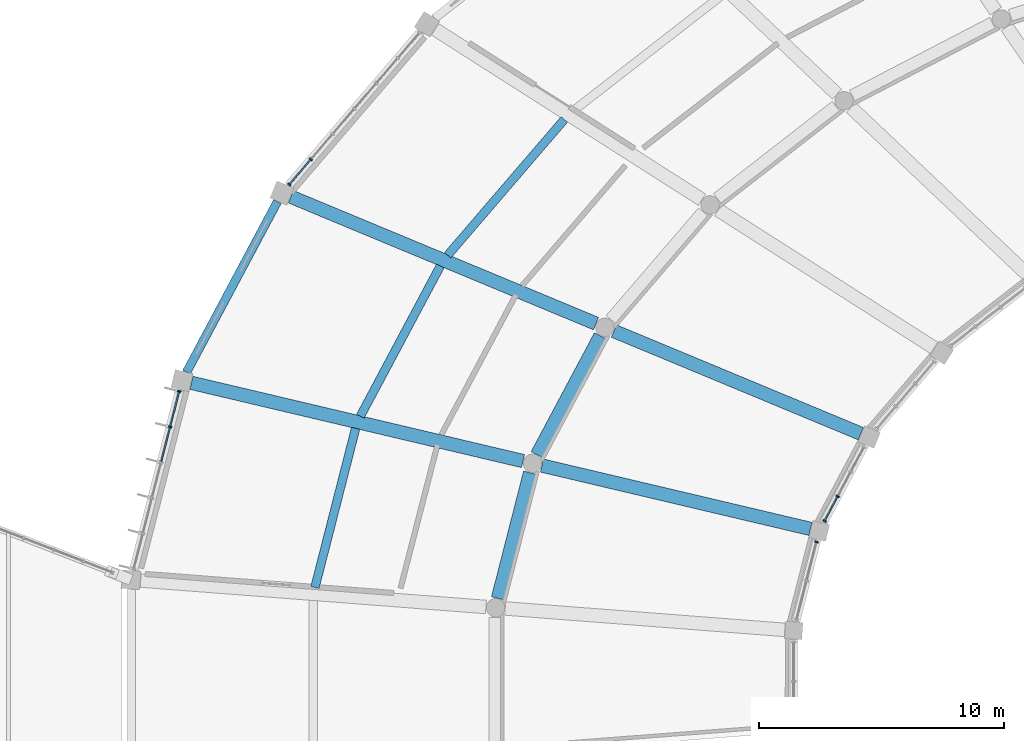
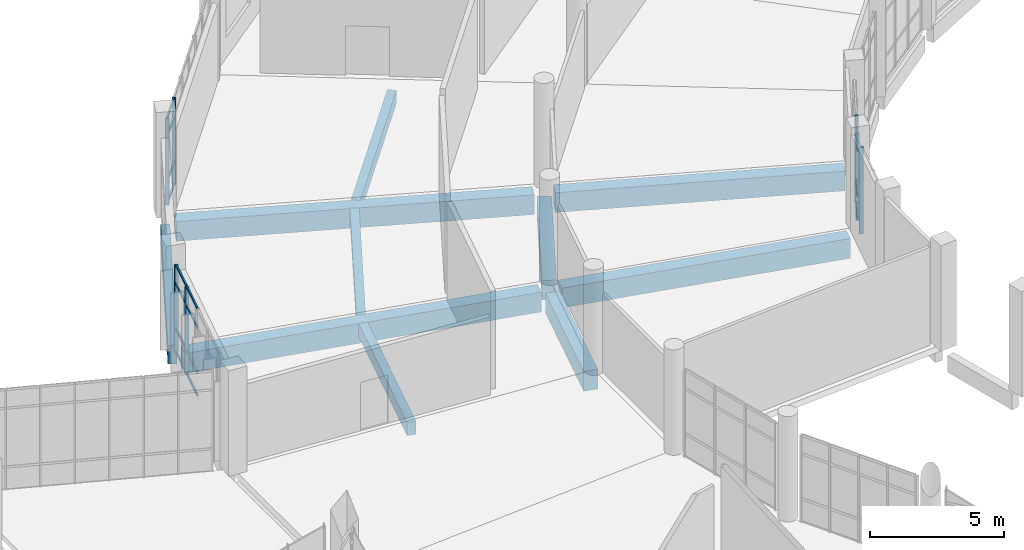
# One storey, part 18 of 179: 23 members, 10 beams, 4 elements without a shape of their own.
"""IFC4 building model written with IfcOpenShell, lengths in metres."""

from ifc_helpers import new_model, si_unit, direction, frame, origin, origin_2d, place, context, subcontext, project, spatial, rectangle, extrude, material, layer, layer_set, material_profile, profile_set, type_object, element, aggregate, save


model = new_model("IFC4")

# Units and contexts
model_context = context("Model", 3, precision=1e-05, world=origin(), true_north=direction((0.0, 1.0)))
body_context = subcontext(model_context, "Body", "Model", "MODEL_VIEW")
ifc_project = project(units=[si_unit("LENGTHUNIT", "METRE"), si_unit("AREAUNIT", "SQUARE_METRE"), si_unit("VOLUMEUNIT", "CUBIC_METRE"), si_unit("PLANEANGLEUNIT", "RADIAN"), si_unit("MASSUNIT", "GRAM", prefix="KILO")], contexts=[model_context])

# Site, building, storey
site_placement = place(None, origin())
site = spatial("IfcSite", under=ifc_project, at=site_placement, CompositionType="ELEMENT")
building_placement = place(site_placement, origin())
building = spatial("IfcBuilding", under=site, at=building_placement, Name="Corvandel Quay Wholesale Market", CompositionType="ELEMENT")
storey_placement = place(building_placement, frame((0.0, 0.0, 6.0)))
storey = spatial("IfcBuildingStorey", under=building, at=storey_placement, Name="L01", CompositionType="ELEMENT", Elevation=6.0)

# Curtain wall, members
ifc_material_1 = material(Name="Bronze anodised aluminium and low-E insulated glazing", Category="aluminium")
ifc_layer_1 = layer(ifc_material_1, 0.174072265625)
ifc_layer_set_1 = layer_set([ifc_layer_1], Name="Bronze anodised aluminium and low-E insulated glazing")
curtain_wall_type_1 = type_object("IfcCurtainWallType", Name="Stick Curtain Wall System CW17 H4530", PredefinedType="NOTDEFINED", material=ifc_layer_set_1)
curtain_wall_1_placement = place(storey_placement, origin())
curtain_wall_1 = element("IfcCurtainWall", 1, at=curtain_wall_1_placement, inside=storey, type_object=curtain_wall_type_1, Name="Curtain Wall CW-0036", PredefinedType="NOTDEFINED")
ifc_material_2 = material(Name="Anodised aluminium 6063-T6", Category="aluminium")
ifc_material_profile_1 = material_profile(ifc_material_2, rectangle(XDim=0.06494140625, YDim=0.14990234375, at=origin_2d()), Name="ALU-MUL-65x150")
ifc_profile_set_1 = profile_set([ifc_material_profile_1], Name="Anodised aluminium 6063-T6")
member_type_1 = type_object("IfcMemberType", Name="Curtain Wall Mullion ML02 65x150", PredefinedType="MULLION", material=ifc_profile_set_1)
member_1_placement = place(storey_placement, frame((67.326416015625, 63.26806640625, 0.0), z_axis=(0.0, 0.0, 1.0), x_axis=(0.651568967347, 0.758589401976, 0.0)))
member_1 = element("IfcMember", 2, at=member_1_placement, type_object=member_type_1, Name="Mullion CW-0036-M05", PredefinedType="MULLION", context=body_context, shape_type="SweptSolid", body=[
    extrude(rectangle(XDim=0.06494140625, YDim=0.14990234375, at=origin_2d()), origin(), (0.0, 0.0, 1.0), 3.949951171875),
])
member_2_placement = place(storey_placement, frame((66.439208984375, 62.2353515625, 0.0), z_axis=(0.0, 0.0, 1.0), x_axis=(0.651568967347, 0.758589401976, 0.0)))
member_2 = element("IfcMember", 3, at=member_2_placement, type_object=member_type_1, Name="Mullion CW-0036-M06", PredefinedType="MULLION", context=body_context, shape_type="SweptSolid", body=[
    extrude(rectangle(XDim=0.06494140625, YDim=0.14990234375, at=origin_2d()), origin(), (0.0, 0.0, 1.0), 3.949951171875),
])

ifc_layer_2 = layer(ifc_material_1, 0.18603515625)
ifc_layer_set_2 = layer_set([ifc_layer_2], Name="Bronze anodised aluminium and low-E insulated glazing")
curtain_wall_type_2 = type_object("IfcCurtainWallType", Name="Stick Curtain Wall System CW28 H5520", PredefinedType="NOTDEFINED", material=ifc_layer_set_2)
curtain_wall_2_placement = place(storey_placement, origin())
curtain_wall_2 = element("IfcCurtainWall", 4, at=curtain_wall_2_placement, inside=storey, type_object=curtain_wall_type_2, Name="Curtain Wall CW-0041", PredefinedType="NOTDEFINED")
member_3_placement = place(storey_placement, frame((88.788330078125, 49.534423828125, 0.0), z_axis=(0.0, 0.0, 1.0), x_axis=(0.469933808689, 0.882701657102, 0.0)))
member_3 = element("IfcMember", 5, at=member_3_placement, type_object=member_type_1, Name="Mullion CW-0041-M02", PredefinedType="MULLION", context=body_context, shape_type="SweptSolid", body=[
    extrude(rectangle(XDim=0.06494140625, YDim=0.14990234375, at=origin_2d()), origin(), (0.0, 0.0, 1.0), 3.949951171875),
])
member_4_placement = place(storey_placement, frame((88.254150390625, 48.531005859375, 0.0), z_axis=(0.0, 0.0, 1.0), x_axis=(0.469933808689, 0.882701657102, 0.0)))
member_4 = element("IfcMember", 6, at=member_4_placement, type_object=member_type_1, Name="Mullion CW-0041-M03", PredefinedType="MULLION", context=body_context, shape_type="SweptSolid", body=[
    extrude(rectangle(XDim=0.06494140625, YDim=0.14990234375, at=origin_2d()), origin(), (0.0, 0.0, 1.0), 3.949951171875),
])

ifc_layer_3 = layer(ifc_material_1, 0.197998046875)
ifc_layer_set_3 = layer_set([ifc_layer_3], Name="Bronze anodised aluminium and low-E insulated glazing")
curtain_wall_type_3 = type_object("IfcCurtainWallType", Name="Stick Curtain Wall System CW19 H4710", PredefinedType="NOTDEFINED", material=ifc_layer_set_3)
curtain_wall_3_placement = place(storey_placement, origin())
curtain_wall_3 = element("IfcCurtainWall", 7, at=curtain_wall_3_placement, inside=storey, type_object=curtain_wall_type_3, Name="Curtain Wall CW-0043", PredefinedType="NOTDEFINED")
member_5_placement = place(storey_placement, frame((61.96337890625, 53.81494140625, 0.0), z_axis=(0.0, 0.0, 1.0), x_axis=(0.247675453076, 0.968843057437, 0.0)))
member_5 = element("IfcMember", 8, at=member_5_placement, type_object=member_type_1, Name="Mullion CW-0043-M00", PredefinedType="MULLION", context=body_context, shape_type="SweptSolid", body=[
    extrude(rectangle(XDim=0.06494140625, YDim=0.14990234375, at=origin_2d()), origin(), (0.0, 0.0, 1.0), 3.949951171875),
])
member_6_placement = place(storey_placement, frame((61.593017578125, 52.36669921875, 0.0), z_axis=(0.0, 0.0, 1.0), x_axis=(0.247675453076, 0.968843057437, 0.0)))
member_6 = element("IfcMember", 9, at=member_6_placement, type_object=member_type_1, Name="Mullion CW-0043-M01", PredefinedType="MULLION", context=body_context, shape_type="SweptSolid", body=[
    extrude(rectangle(XDim=0.06494140625, YDim=0.14990234375, at=origin_2d()), origin(), (0.0, 0.0, 1.0), 3.949951171875),
])

# Curtain wall, member
ifc_layer_4 = layer(ifc_material_1, 0.162109375)
ifc_layer_set_4 = layer_set([ifc_layer_4], Name="Bronze anodised aluminium and low-E insulated glazing")
curtain_wall_type_4 = type_object("IfcCurtainWallType", Name="Stick Curtain Wall System CW01 H3090", PredefinedType="NOTDEFINED", material=ifc_layer_set_4)
curtain_wall_4_placement = place(storey_placement, origin())
curtain_wall_4 = element("IfcCurtainWall", 10, at=curtain_wall_4_placement, inside=storey, type_object=curtain_wall_type_4, Name="Curtain Wall CW-0044", PredefinedType="NOTDEFINED")
member_7_placement = place(storey_placement, frame((87.924072265625, 47.67919921875, 0.0), z_axis=(0.0, 0.0, 1.0), x_axis=(0.247844544316, 0.968799815159, 0.0)))
member_7 = element("IfcMember", 11, at=member_7_placement, type_object=member_type_1, Name="Mullion CW-0044-M00", PredefinedType="MULLION", context=body_context, shape_type="SweptSolid", body=[
    extrude(rectangle(XDim=0.06494140625, YDim=0.14990234375, at=origin_2d()), origin(), (0.0, 0.0, 1.0), 3.949951171875),
])
aggregate(curtain_wall_4, [member_7])

# Member
ifc_material_profile_2 = material_profile(ifc_material_2, rectangle(XDim=0.06005859375, YDim=0.110107421875, at=origin_2d()), Name="ALU-TRN-60x110")
ifc_profile_set_2 = profile_set([ifc_material_profile_2], Name="Anodised aluminium 6063-T6")
member_type_2 = type_object("IfcMemberType", Name="Curtain Wall Transom TR02 60x110", PredefinedType="USERDEFINED", material=ifc_profile_set_2)
member_8_placement = place(storey_placement, frame((67.30517578125, 63.243408203125, 0.0), z_axis=(-0.651597471756, -0.758564917987, 0.0), x_axis=(0.758564917987, -0.651597471756, 0.0)))
member_8 = element("IfcMember", 12, at=member_8_placement, type_object=member_type_2, Name="Transom CW-0036-T05-0", ObjectType="TRANSOM", PredefinedType="USERDEFINED", context=body_context, shape_type="SweptSolid", body=[
    extrude(rectangle(XDim=0.06005859375, YDim=0.110107421875, at=origin_2d()), origin(), (0.0, 0.0, 1.0), 1.29638671875),
])

member_9_placement = place(storey_placement, frame((67.30517578125, 63.243408203125, 1.050048828125), z_axis=(-0.651597471756, -0.758564917987, 0.0), x_axis=(0.758564917987, -0.651597471756, 0.0)))
member_9 = element("IfcMember", 13, at=member_9_placement, type_object=member_type_2, Name="Transom CW-0036-T05-1", ObjectType="TRANSOM", PredefinedType="USERDEFINED", context=body_context, shape_type="SweptSolid", body=[
    extrude(rectangle(XDim=0.06005859375, YDim=0.110107421875, at=origin_2d()), origin(), (0.0, 0.0, 1.0), 1.29638671875),
])

member_10_placement = place(storey_placement, frame((67.30517578125, 63.243408203125, 3.10009765625), z_axis=(-0.651597471756, -0.758564917987, 0.0), x_axis=(0.758564917987, -0.651597471756, 0.0)))
member_10 = element("IfcMember", 14, at=member_10_placement, type_object=member_type_2, Name="Transom CW-0036-T05-2", ObjectType="TRANSOM", PredefinedType="USERDEFINED", context=body_context, shape_type="SweptSolid", body=[
    extrude(rectangle(XDim=0.06005859375, YDim=0.110107421875, at=origin_2d()), origin(), (0.0, 0.0, 1.0), 1.29638671875),
])

member_11_placement = place(storey_placement, frame((67.30517578125, 63.243408203125, 3.949951171875), z_axis=(-0.651597471756, -0.758564917987, 0.0), x_axis=(0.758564917987, -0.651597471756, 0.0)))
member_11 = element("IfcMember", 15, at=member_11_placement, type_object=member_type_2, Name="Transom CW-0036-T05-3", ObjectType="TRANSOM", PredefinedType="USERDEFINED", context=body_context, shape_type="SweptSolid", body=[
    extrude(rectangle(XDim=0.06005859375, YDim=0.110107421875, at=origin_2d()), origin(), (0.0, 0.0, 1.0), 1.29638671875),
])

aggregate(curtain_wall_1, [member_1, member_2, member_8, member_9, member_10, member_11])

member_12_placement = place(storey_placement, frame((88.773193359375, 49.505615234375, 0.0), z_axis=(-0.470032340341, -0.88264919364, 0.0), x_axis=(0.88264919364, -0.470032340341, 0.0)))
member_12 = element("IfcMember", 16, at=member_12_placement, type_object=member_type_2, Name="Transom CW-0041-T02-0", ObjectType="TRANSOM", PredefinedType="USERDEFINED", context=body_context, shape_type="SweptSolid", body=[
    extrude(rectangle(XDim=0.06005859375, YDim=0.110107421875, at=origin_2d()), origin(), (0.0, 0.0, 1.0), 1.071533203125),
])

member_13_placement = place(storey_placement, frame((88.773193359375, 49.505615234375, 1.050048828125), z_axis=(-0.470032340341, -0.88264919364, 0.0), x_axis=(0.88264919364, -0.470032340341, 0.0)))
member_13 = element("IfcMember", 17, at=member_13_placement, type_object=member_type_2, Name="Transom CW-0041-T02-1", ObjectType="TRANSOM", PredefinedType="USERDEFINED", context=body_context, shape_type="SweptSolid", body=[
    extrude(rectangle(XDim=0.06005859375, YDim=0.110107421875, at=origin_2d()), origin(), (0.0, 0.0, 1.0), 1.071533203125),
])

member_14_placement = place(storey_placement, frame((88.773193359375, 49.505615234375, 3.10009765625), z_axis=(-0.470032340341, -0.88264919364, 0.0), x_axis=(0.88264919364, -0.470032340341, 0.0)))
member_14 = element("IfcMember", 18, at=member_14_placement, type_object=member_type_2, Name="Transom CW-0041-T02-2", ObjectType="TRANSOM", PredefinedType="USERDEFINED", context=body_context, shape_type="SweptSolid", body=[
    extrude(rectangle(XDim=0.06005859375, YDim=0.110107421875, at=origin_2d()), origin(), (0.0, 0.0, 1.0), 1.071533203125),
])

member_15_placement = place(storey_placement, frame((88.773193359375, 49.505615234375, 3.949951171875), z_axis=(-0.470032340341, -0.88264919364, 0.0), x_axis=(0.88264919364, -0.470032340341, 0.0)))
member_15 = element("IfcMember", 19, at=member_15_placement, type_object=member_type_2, Name="Transom CW-0041-T02-3", ObjectType="TRANSOM", PredefinedType="USERDEFINED", context=body_context, shape_type="SweptSolid", body=[
    extrude(rectangle(XDim=0.06005859375, YDim=0.110107421875, at=origin_2d()), origin(), (0.0, 0.0, 1.0), 1.071533203125),
])

aggregate(curtain_wall_2, [member_3, member_4, member_12, member_13, member_14, member_15])

member_16_placement = place(storey_placement, frame((61.955322265625, 53.783447265625, 0.0), z_axis=(-0.247594705579, -0.968863696177, 0.0), x_axis=(0.968863696177, -0.247594705579, 0.0)))
member_16 = element("IfcMember", 20, at=member_16_placement, type_object=member_type_2, Name="Transom CW-0043-T00-0", ObjectType="TRANSOM", PredefinedType="USERDEFINED", context=body_context, shape_type="SweptSolid", body=[
    extrude(rectangle(XDim=0.06005859375, YDim=0.110107421875, at=origin_2d()), origin(), (0.0, 0.0, 1.0), 1.4296875),
])

member_17_placement = place(storey_placement, frame((61.955322265625, 53.783447265625, 1.050048828125), z_axis=(-0.247594705579, -0.968863696177, 0.0), x_axis=(0.968863696177, -0.247594705579, 0.0)))
member_17 = element("IfcMember", 21, at=member_17_placement, type_object=member_type_2, Name="Transom CW-0043-T00-1", ObjectType="TRANSOM", PredefinedType="USERDEFINED", context=body_context, shape_type="SweptSolid", body=[
    extrude(rectangle(XDim=0.06005859375, YDim=0.110107421875, at=origin_2d()), origin(), (0.0, 0.0, 1.0), 1.4296875),
])

member_18_placement = place(storey_placement, frame((61.955322265625, 53.783447265625, 3.10009765625), z_axis=(-0.247594705579, -0.968863696177, 0.0), x_axis=(0.968863696177, -0.247594705579, 0.0)))
member_18 = element("IfcMember", 22, at=member_18_placement, type_object=member_type_2, Name="Transom CW-0043-T00-2", ObjectType="TRANSOM", PredefinedType="USERDEFINED", context=body_context, shape_type="SweptSolid", body=[
    extrude(rectangle(XDim=0.06005859375, YDim=0.110107421875, at=origin_2d()), origin(), (0.0, 0.0, 1.0), 1.4296875),
])

member_19_placement = place(storey_placement, frame((61.955322265625, 53.783447265625, 3.949951171875), z_axis=(-0.247594705579, -0.968863696177, 0.0), x_axis=(0.968863696177, -0.247594705579, 0.0)))
member_19 = element("IfcMember", 23, at=member_19_placement, type_object=member_type_2, Name="Transom CW-0043-T00-3", ObjectType="TRANSOM", PredefinedType="USERDEFINED", context=body_context, shape_type="SweptSolid", body=[
    extrude(rectangle(XDim=0.06005859375, YDim=0.110107421875, at=origin_2d()), origin(), (0.0, 0.0, 1.0), 1.4296875),
])

member_20_placement = place(storey_placement, frame((61.5849609375, 52.335205078125, 0.0), z_axis=(-0.24771400443, -0.968833201335, 0.0), x_axis=(0.968833201335, -0.24771400443, 0.0)))
member_20 = element("IfcMember", 24, at=member_20_placement, type_object=member_type_2, Name="Transom CW-0043-T01-0", ObjectType="TRANSOM", PredefinedType="USERDEFINED", context=body_context, shape_type="SweptSolid", body=[
    extrude(rectangle(XDim=0.06005859375, YDim=0.110107421875, at=origin_2d()), origin(), (0.0, 0.0, 1.0), 1.43017578125),
])

member_21_placement = place(storey_placement, frame((61.5849609375, 52.335205078125, 1.050048828125), z_axis=(-0.24771400443, -0.968833201335, 0.0), x_axis=(0.968833201335, -0.24771400443, 0.0)))
member_21 = element("IfcMember", 25, at=member_21_placement, type_object=member_type_2, Name="Transom CW-0043-T01-1", ObjectType="TRANSOM", PredefinedType="USERDEFINED", context=body_context, shape_type="SweptSolid", body=[
    extrude(rectangle(XDim=0.06005859375, YDim=0.110107421875, at=origin_2d()), origin(), (0.0, 0.0, 1.0), 1.43017578125),
])

member_22_placement = place(storey_placement, frame((61.5849609375, 52.335205078125, 3.10009765625), z_axis=(-0.24771400443, -0.968833201335, 0.0), x_axis=(0.968833201335, -0.24771400443, 0.0)))
member_22 = element("IfcMember", 26, at=member_22_placement, type_object=member_type_2, Name="Transom CW-0043-T01-2", ObjectType="TRANSOM", PredefinedType="USERDEFINED", context=body_context, shape_type="SweptSolid", body=[
    extrude(rectangle(XDim=0.06005859375, YDim=0.110107421875, at=origin_2d()), origin(), (0.0, 0.0, 1.0), 1.43017578125),
])

member_23_placement = place(storey_placement, frame((61.5849609375, 52.335205078125, 3.949951171875), z_axis=(-0.24771400443, -0.968833201335, 0.0), x_axis=(0.968833201335, -0.24771400443, 0.0)))
member_23 = element("IfcMember", 27, at=member_23_placement, type_object=member_type_2, Name="Transom CW-0043-T01-3", ObjectType="TRANSOM", PredefinedType="USERDEFINED", context=body_context, shape_type="SweptSolid", body=[
    extrude(rectangle(XDim=0.06005859375, YDim=0.110107421875, at=origin_2d()), origin(), (0.0, 0.0, 1.0), 1.43017578125),
])

aggregate(curtain_wall_3, [member_5, member_6, member_16, member_17, member_18, member_19, member_20, member_21, member_22, member_23])

# Beams
ifc_material_3 = material(Name="Precast concrete C45/55", Category="concrete")
ifc_material_profile_3 = material_profile(ifc_material_3, rectangle(XDim=0.35009765625, YDim=0.85009765625, at=origin_2d()), Name="PC-SPN-350x850")
ifc_profile_set_3 = profile_set([ifc_material_profile_3], Name="Precast concrete C45/55")
beam_type_1 = type_object("IfcBeamType", Name="Perimeter Precast Spandrel SP01 350x850", PredefinedType="SPANDREL", material=ifc_profile_set_3)
beam_1_placement = place(storey_placement, frame((65.960205078125, 61.54541015625, -0.72509765625), z_axis=(-0.470097048579, -0.882614731872, 0.0), x_axis=(0.882614731872, -0.470097048579, 0.0)))
element("IfcBeam", 28, at=beam_1_placement, inside=storey, type_object=beam_type_1, Name="Beam BM-0166", PredefinedType="SPANDREL", context=body_context, shape_type="SweptSolid", body=[
    extrude(rectangle(XDim=0.35009765625, YDim=0.85009765625, at=origin_2d()), origin(), (0.0, 0.0, 1.0), 7.86962890625),
])
ifc_material_profile_4 = material_profile(ifc_material_3, rectangle(XDim=0.550048828125, YDim=0.89990234375, at=origin_2d()), Name="PC-GIR-550x900")
ifc_profile_set_4 = profile_set([ifc_material_profile_4], Name="Precast concrete C45/55")
beam_type_2 = type_object("IfcBeamType", Name="Produce Hall Radial Girder G03 550x900", PredefinedType="USERDEFINED", material=ifc_profile_set_4)
beam_2_placement = place(storey_placement, frame((79.120361328125, 56.074462890625, -0.75), z_axis=(-0.470057068479, -0.882636024856, 0.0), x_axis=(0.882636024856, -0.470057068479, 0.0)))
element("IfcBeam", 29, at=beam_2_placement, inside=storey, type_object=beam_type_2, Name="Beam BM-0167", ObjectType="GIRDER", PredefinedType="USERDEFINED", context=body_context, shape_type="SweptSolid", body=[
    extrude(rectangle(XDim=0.550048828125, YDim=0.89990234375, at=origin_2d()), origin(), (0.0, 0.0, 1.0), 5.48779296875),
])
beam_3_placement = place(storey_placement, frame((66.5107421875, 61.742431640625, -0.75), z_axis=(0.923385679265, -0.383873530383, 0.0), x_axis=(0.383873530383, 0.923385679265, 0.0)))
element("IfcBeam", 30, at=beam_3_placement, inside=storey, type_object=beam_type_2, Name="Beam BM-0168", ObjectType="GIRDER", PredefinedType="USERDEFINED", context=body_context, shape_type="SweptSolid", body=[
    extrude(rectangle(XDim=0.550048828125, YDim=0.89990234375, at=origin_2d()), origin(), (0.0, 0.0, 1.0), 13.462158203125),
])
beam_4_placement = place(storey_placement, frame((79.670654296875, 56.271484375, -0.72998046875), z_axis=(0.923386886685, -0.38387062599, 0.0), x_axis=(0.38387062599, 0.923386886685, 0.0)))
element("IfcBeam", 31, at=beam_4_placement, inside=storey, type_object=beam_type_2, Name="Beam BM-0171", ObjectType="GIRDER", PredefinedType="USERDEFINED", context=body_context, shape_type="SweptSolid", body=[
    extrude(rectangle(XDim=0.550048828125, YDim=0.89990234375, at=origin_2d()), origin(), (0.0, 0.0, 1.0), 10.895263671875),
])
beam_5_placement = place(storey_placement, frame((76.257080078125, 50.499267578125, -0.75), z_axis=(-0.247817109088, -0.9688068334, 0.0), x_axis=(0.9688068334, -0.247817109088, 0.0)))
element("IfcBeam", 32, at=beam_5_placement, inside=storey, type_object=beam_type_2, Name="Beam BM-0180", ObjectType="GIRDER", PredefinedType="USERDEFINED", context=body_context, shape_type="SweptSolid", body=[
    extrude(rectangle(XDim=0.550048828125, YDim=0.89990234375, at=origin_2d()), origin(), (0.0, 0.0, 1.0), 5.282470703125),
])
beam_6_placement = place(storey_placement, frame((62.45947265625, 54.160400390625, -0.75), z_axis=(0.97327837295, -0.229628414506, 0.0), x_axis=(0.229628414506, 0.97327837295, 0.0)))
element("IfcBeam", 33, at=beam_6_placement, inside=storey, type_object=beam_type_2, Name="Beam BM-0181", ObjectType="GIRDER", PredefinedType="USERDEFINED", context=body_context, shape_type="SweptSolid", body=[
    extrude(rectangle(XDim=0.550048828125, YDim=0.89990234375, at=origin_2d()), origin(), (0.0, 0.0, 1.0), 13.882080078125),
])
beam_7_placement = place(storey_placement, frame((76.739501953125, 50.791259765625, -0.72998046875), z_axis=(0.97326739411, -0.229674943262, 0.0), x_axis=(0.229674943262, 0.97326739411, 0.0)))
element("IfcBeam", 34, at=beam_7_placement, inside=storey, type_object=beam_type_2, Name="Beam BM-0184", ObjectType="GIRDER", PredefinedType="USERDEFINED", context=body_context, shape_type="SweptSolid", body=[
    extrude(rectangle(XDim=0.550048828125, YDim=0.89990234375, at=origin_2d()), origin(), (0.0, 0.0, 1.0), 11.239013671875),
])
ifc_material_profile_5 = material_profile(ifc_material_3, rectangle(XDim=0.35009765625, YDim=0.60009765625, at=origin_2d()), Name="PC-BM-350x600")
ifc_profile_set_5 = profile_set([ifc_material_profile_5], Name="Precast concrete C45/55")
beam_type_3 = type_object("IfcBeamType", Name="Trading Gallery Secondary Beam B02 350x600", PredefinedType="BEAM", material=ifc_profile_set_5)
beam_8_placement = place(storey_placement, frame((77.64990234375, 64.89111328125, -0.60009765625), z_axis=(-0.651576847402, -0.758582633554, 0.0), x_axis=(0.758582633554, -0.651576847402, 0.0)))
element("IfcBeam", 35, at=beam_8_placement, inside=storey, type_object=beam_type_3, Name="Beam BM-0156", PredefinedType="BEAM", context=body_context, shape_type="SweptSolid", body=[
    extrude(rectangle(XDim=0.35009765625, YDim=0.60009765625, at=origin_2d()), origin(), (0.0, 0.0, 1.0), 7.2919921875),
])
beam_9_placement = place(storey_placement, frame((72.601318359375, 58.924560546875, -0.60009765625), z_axis=(-0.470076811502, -0.882625510218, 0.0), x_axis=(0.882625510218, -0.470076811502, 0.0)))
element("IfcBeam", 36, at=beam_9_placement, inside=storey, type_object=beam_type_3, Name="Beam BM-0169", PredefinedType="BEAM", context=body_context, shape_type="SweptSolid", body=[
    extrude(rectangle(XDim=0.35009765625, YDim=0.60009765625, at=origin_2d()), origin(), (0.0, 0.0, 1.0), 6.938720703125),
])
beam_10_placement = place(storey_placement, frame((69.1494140625, 52.309814453125, -0.60009765625), z_axis=(-0.2477926489, -0.968813089894, 0.0), x_axis=(0.968813089894, -0.2477926489, 0.0)))
element("IfcBeam", 37, at=beam_10_placement, inside=storey, type_object=beam_type_3, Name="Beam BM-0182", PredefinedType="BEAM", context=body_context, shape_type="SweptSolid", body=[
    extrude(rectangle(XDim=0.35009765625, YDim=0.60009765625, at=origin_2d()), origin(), (0.0, 0.0, 1.0), 6.69384765625),
])

save(model, "model.ifc")
